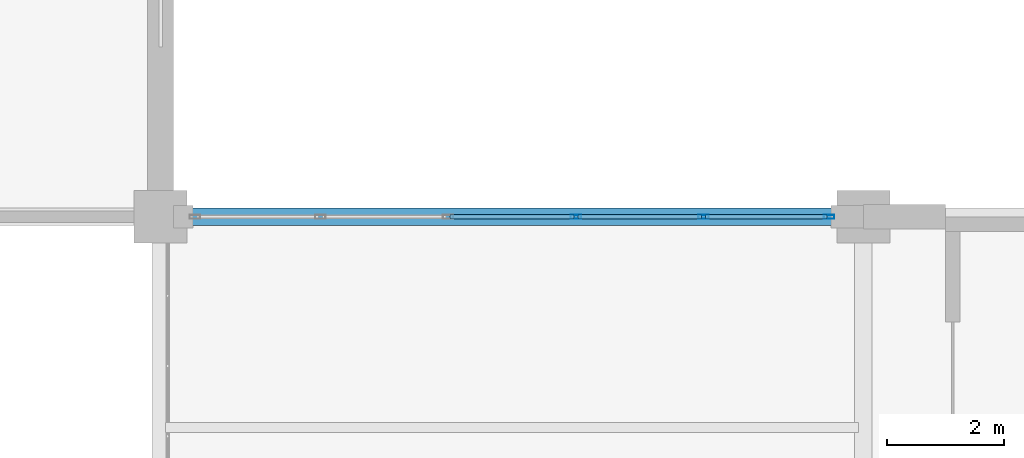
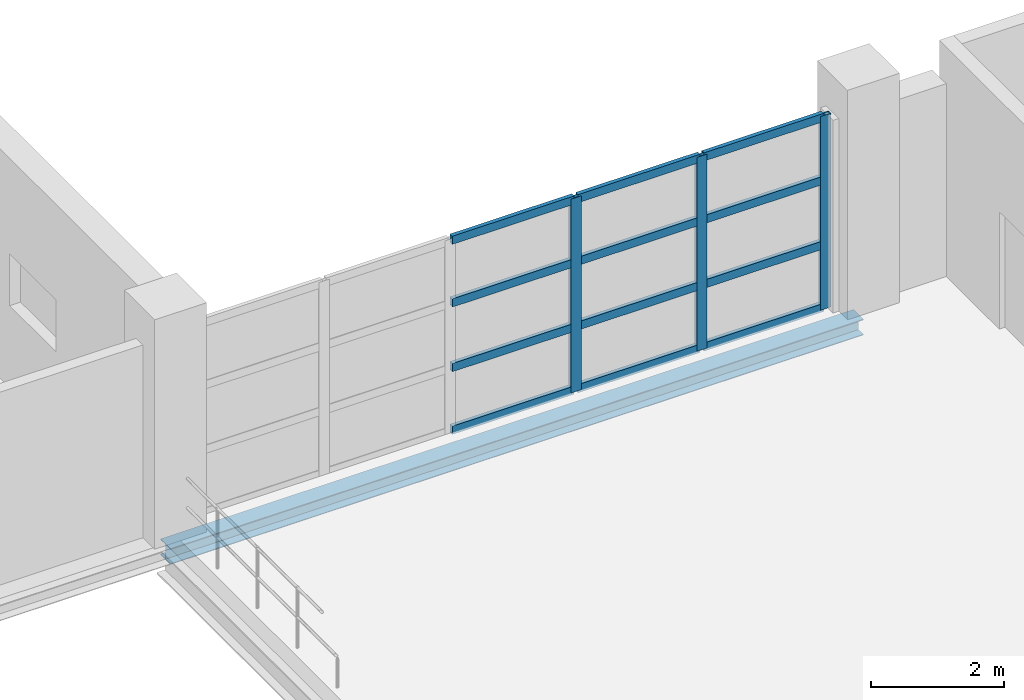
# One storey, part 120 of 158: 15 members, 1 beam, 1 element without a shape of its own.
"""IFC4 building model written with IfcOpenShell, lengths in metres."""

from ifc_helpers import new_model, si_unit, direction, frame, origin, origin_2d, place, context, subcontext, project, spatial, hollow_rectangle, i_section, extrude, material, layer, layer_set, material_profile, profile_set, type_object, element, aggregate, save


model = new_model("IFC4")

# Units and contexts
model_context = context("Model", 3, precision=1e-05, world=origin(), true_north=direction((0.0, 1.0)))
body_context = subcontext(model_context, "Body", "Model", "MODEL_VIEW")
ifc_project = project(units=[si_unit("LENGTHUNIT", "METRE"), si_unit("AREAUNIT", "SQUARE_METRE"), si_unit("VOLUMEUNIT", "CUBIC_METRE"), si_unit("PLANEANGLEUNIT", "RADIAN"), si_unit("MASSUNIT", "GRAM", prefix="KILO")], contexts=[model_context])

# Site, building, storey
site_placement = place(None, origin())
site = spatial("IfcSite", under=ifc_project, at=site_placement, CompositionType="ELEMENT")
building_placement = place(site_placement, origin())
building = spatial("IfcBuilding", under=site, at=building_placement, Name="Zilviju Railside Exhibition Hall", CompositionType="ELEMENT")
storey_placement = place(building_placement, frame((0.0, 0.0, 4.199951171875)))
storey = spatial("IfcBuildingStorey", under=building, at=storey_placement, Name="L02", CompositionType="ELEMENT", Elevation=4.199951171875)

# Beam
ifc_material_1 = material(Name="Steel S355J2", Category="steel")
ifc_material_profile_1 = material_profile(ifc_material_1, i_section(OverallWidth=0.300048828125, OverallDepth=0.2900390625, WebThickness=0.008544921875, FlangeThickness=0.013916015625, at=origin_2d()), Name="HEA 300")
ifc_profile_set_1 = profile_set([ifc_material_profile_1], Name="Steel S355J2")
beam_type = type_object("IfcBeamType", Name="BM-HEA300", PredefinedType="SPANDREL", material=ifc_profile_set_1)
beam_placement = place(storey_placement, frame((180.0, 138.0, -0.474853515625), z_axis=(1.0, 0.0, 0.0), x_axis=(0.0, 1.0, 0.0)))
element("IfcBeam", 1, at=beam_placement, inside=storey, type_object=beam_type, Name="Primary Girder L02 Y=138.0 (180.0..192.0)", PredefinedType="SPANDREL", context=body_context, shape_type="SweptSolid", body=[
    extrude(i_section(OverallWidth=0.300048828125, OverallDepth=0.2900390625, WebThickness=0.008544921875, FlangeThickness=0.013916015625, at=origin_2d()), origin(), (0.0, 0.0, 1.0), 12.0),
])

# Curtain wall, members
ifc_material_2 = material(Name="Thermally broken aluminium-steel triple-glazed curtain wall", Category="steel")
ifc_layer = layer(ifc_material_2, 0.179931640625)
ifc_layer_set = layer_set([ifc_layer], Name="Thermally broken aluminium-steel triple-glazed curtain wall")
curtain_wall_type = type_object("IfcCurtainWallType", Name="CW-BAY-13", PredefinedType="USERDEFINED", material=ifc_layer_set)
curtain_wall_placement = place(storey_placement, origin())
curtain_wall = element("IfcCurtainWall", 2, at=curtain_wall_placement, inside=storey, type_object=curtain_wall_type, Name="North Hall Clerestory Curtain Wall L02 (180..192)", ObjectType="GLAZED CURTAIN WALL", PredefinedType="USERDEFINED")
ifc_material_3 = material(Name="Thermally broken anodized aluminium mullion", Category="aluminium")
ifc_material_profile_2 = material_profile(ifc_material_3, hollow_rectangle(XDim=0.070068359375, YDim=0.179931640625, WallThickness=0.0048828125, at=origin_2d()), Name="MULLION 180x70x5")
ifc_profile_set_2 = profile_set([ifc_material_profile_2], Name="Thermally broken anodized aluminium mullion")
member_type_1 = type_object("IfcMemberType", Name="CWM-70x180", PredefinedType="MULLION", material=ifc_profile_set_2)
member_1_placement = place(storey_placement, frame((187.090087890625, 138.0, 0.0), z_axis=(0.0, 0.0, 1.0), x_axis=(0.0, 1.0, 0.0)))
member_1 = element("IfcMember", 3, at=member_1_placement, type_object=member_type_1, Name="CW-13 mullion 4", PredefinedType="MULLION", context=body_context, shape_type="SweptSolid", body=[
    extrude(hollow_rectangle(XDim=0.070068359375, YDim=0.179931640625, WallThickness=0.0048828125, at=origin_2d()), origin(), (0.0, 0.0, 1.0), 3.550048828125),
])
member_2_placement = place(storey_placement, frame((189.27001953125, 138.0, 0.0), z_axis=(0.0, 0.0, 1.0), x_axis=(0.0, 1.0, 0.0)))
member_2 = element("IfcMember", 4, at=member_2_placement, type_object=member_type_1, Name="CW-13 mullion 5", PredefinedType="MULLION", context=body_context, shape_type="SweptSolid", body=[
    extrude(hollow_rectangle(XDim=0.070068359375, YDim=0.179931640625, WallThickness=0.0048828125, at=origin_2d()), origin(), (0.0, 0.0, 1.0), 3.550048828125),
])
member_3_placement = place(storey_placement, frame((191.4150390625, 138.0, 0.0), z_axis=(0.0, 0.0, 1.0), x_axis=(0.0, 1.0, 0.0)))
member_3 = element("IfcMember", 5, at=member_3_placement, type_object=member_type_1, Name="CW-13 mullion 6", PredefinedType="MULLION", context=body_context, shape_type="SweptSolid", body=[
    extrude(hollow_rectangle(XDim=0.070068359375, YDim=0.179931640625, WallThickness=0.0048828125, at=origin_2d()), origin(), (0.0, 0.0, 1.0), 3.550048828125),
])
ifc_material_4 = material(Name="Thermally broken anodized aluminium transom", Category="aluminium")
ifc_material_profile_3 = material_profile(ifc_material_4, hollow_rectangle(XDim=0.070068359375, YDim=0.14990234375, WallThickness=0.0048828125, at=origin_2d()), Name="TRANSOM 150x70x5")
ifc_profile_set_3 = profile_set([ifc_material_profile_3], Name="Thermally broken anodized aluminium transom")
member_type_2 = type_object("IfcMemberType", Name="CWT-70x150", PredefinedType="USERDEFINED", material=ifc_profile_set_3)
member_4_placement = place(storey_placement, frame((184.945068359375, 138.0, 0.03515625), z_axis=(1.0, 0.0, 0.0), x_axis=(0.0, 1.0, 0.0)))
member_4 = element("IfcMember", 6, at=member_4_placement, type_object=member_type_2, Name="CW-13 transom 3.1", ObjectType="TRANSOM", PredefinedType="USERDEFINED", context=body_context, shape_type="SweptSolid", body=[
    extrude(hollow_rectangle(XDim=0.070068359375, YDim=0.14990234375, WallThickness=0.0048828125, at=origin_2d()), origin(), (0.0, 0.0, 1.0), 2.10986328125),
])
member_5_placement = place(storey_placement, frame((184.945068359375, 138.0, 1.18310546875), z_axis=(1.0, 0.0, 0.0), x_axis=(0.0, 1.0, 0.0)))
member_5 = element("IfcMember", 7, at=member_5_placement, type_object=member_type_2, Name="CW-13 transom 3.2", ObjectType="TRANSOM", PredefinedType="USERDEFINED", context=body_context, shape_type="SweptSolid", body=[
    extrude(hollow_rectangle(XDim=0.070068359375, YDim=0.14990234375, WallThickness=0.0048828125, at=origin_2d()), origin(), (0.0, 0.0, 1.0), 2.10986328125),
])
member_6_placement = place(storey_placement, frame((184.945068359375, 138.0, 2.366943359375), z_axis=(1.0, 0.0, 0.0), x_axis=(0.0, 1.0, 0.0)))
member_6 = element("IfcMember", 8, at=member_6_placement, type_object=member_type_2, Name="CW-13 transom 3.3", ObjectType="TRANSOM", PredefinedType="USERDEFINED", context=body_context, shape_type="SweptSolid", body=[
    extrude(hollow_rectangle(XDim=0.070068359375, YDim=0.14990234375, WallThickness=0.0048828125, at=origin_2d()), origin(), (0.0, 0.0, 1.0), 2.10986328125),
])
member_7_placement = place(storey_placement, frame((184.945068359375, 138.0, 3.51513671875), z_axis=(1.0, 0.0, 0.0), x_axis=(0.0, 1.0, 0.0)))
member_7 = element("IfcMember", 9, at=member_7_placement, type_object=member_type_2, Name="CW-13 transom 3.4", ObjectType="TRANSOM", PredefinedType="USERDEFINED", context=body_context, shape_type="SweptSolid", body=[
    extrude(hollow_rectangle(XDim=0.070068359375, YDim=0.14990234375, WallThickness=0.0048828125, at=origin_2d()), origin(), (0.0, 0.0, 1.0), 2.10986328125),
])
member_8_placement = place(storey_placement, frame((187.125, 138.0, 0.03515625), z_axis=(1.0, 0.0, 0.0), x_axis=(0.0, 1.0, 0.0)))
member_8 = element("IfcMember", 10, at=member_8_placement, type_object=member_type_2, Name="CW-13 transom 4.1", ObjectType="TRANSOM", PredefinedType="USERDEFINED", context=body_context, shape_type="SweptSolid", body=[
    extrude(hollow_rectangle(XDim=0.070068359375, YDim=0.14990234375, WallThickness=0.0048828125, at=origin_2d()), origin(), (0.0, 0.0, 1.0), 2.110107421875),
])
member_9_placement = place(storey_placement, frame((187.125, 138.0, 1.18310546875), z_axis=(1.0, 0.0, 0.0), x_axis=(0.0, 1.0, 0.0)))
member_9 = element("IfcMember", 11, at=member_9_placement, type_object=member_type_2, Name="CW-13 transom 4.2", ObjectType="TRANSOM", PredefinedType="USERDEFINED", context=body_context, shape_type="SweptSolid", body=[
    extrude(hollow_rectangle(XDim=0.070068359375, YDim=0.14990234375, WallThickness=0.0048828125, at=origin_2d()), origin(), (0.0, 0.0, 1.0), 2.110107421875),
])
member_10_placement = place(storey_placement, frame((187.125, 138.0, 2.366943359375), z_axis=(1.0, 0.0, 0.0), x_axis=(0.0, 1.0, 0.0)))
member_10 = element("IfcMember", 12, at=member_10_placement, type_object=member_type_2, Name="CW-13 transom 4.3", ObjectType="TRANSOM", PredefinedType="USERDEFINED", context=body_context, shape_type="SweptSolid", body=[
    extrude(hollow_rectangle(XDim=0.070068359375, YDim=0.14990234375, WallThickness=0.0048828125, at=origin_2d()), origin(), (0.0, 0.0, 1.0), 2.110107421875),
])
member_11_placement = place(storey_placement, frame((187.125, 138.0, 3.51513671875), z_axis=(1.0, 0.0, 0.0), x_axis=(0.0, 1.0, 0.0)))
member_11 = element("IfcMember", 13, at=member_11_placement, type_object=member_type_2, Name="CW-13 transom 4.4", ObjectType="TRANSOM", PredefinedType="USERDEFINED", context=body_context, shape_type="SweptSolid", body=[
    extrude(hollow_rectangle(XDim=0.070068359375, YDim=0.14990234375, WallThickness=0.0048828125, at=origin_2d()), origin(), (0.0, 0.0, 1.0), 2.110107421875),
])
member_12_placement = place(storey_placement, frame((189.304931640625, 138.0, 0.03515625), z_axis=(1.0, 0.0, 0.0), x_axis=(0.0, 1.0, 0.0)))
member_12 = element("IfcMember", 14, at=member_12_placement, type_object=member_type_2, Name="CW-13 transom 5.1", ObjectType="TRANSOM", PredefinedType="USERDEFINED", context=body_context, shape_type="SweptSolid", body=[
    extrude(hollow_rectangle(XDim=0.070068359375, YDim=0.14990234375, WallThickness=0.0048828125, at=origin_2d()), origin(), (0.0, 0.0, 1.0), 2.074951171875),
])
member_13_placement = place(storey_placement, frame((189.304931640625, 138.0, 1.18310546875), z_axis=(1.0, 0.0, 0.0), x_axis=(0.0, 1.0, 0.0)))
member_13 = element("IfcMember", 15, at=member_13_placement, type_object=member_type_2, Name="CW-13 transom 5.2", ObjectType="TRANSOM", PredefinedType="USERDEFINED", context=body_context, shape_type="SweptSolid", body=[
    extrude(hollow_rectangle(XDim=0.070068359375, YDim=0.14990234375, WallThickness=0.0048828125, at=origin_2d()), origin(), (0.0, 0.0, 1.0), 2.074951171875),
])
member_14_placement = place(storey_placement, frame((189.304931640625, 138.0, 2.366943359375), z_axis=(1.0, 0.0, 0.0), x_axis=(0.0, 1.0, 0.0)))
member_14 = element("IfcMember", 16, at=member_14_placement, type_object=member_type_2, Name="CW-13 transom 5.3", ObjectType="TRANSOM", PredefinedType="USERDEFINED", context=body_context, shape_type="SweptSolid", body=[
    extrude(hollow_rectangle(XDim=0.070068359375, YDim=0.14990234375, WallThickness=0.0048828125, at=origin_2d()), origin(), (0.0, 0.0, 1.0), 2.074951171875),
])
member_15_placement = place(storey_placement, frame((189.304931640625, 138.0, 3.51513671875), z_axis=(1.0, 0.0, 0.0), x_axis=(0.0, 1.0, 0.0)))
member_15 = element("IfcMember", 17, at=member_15_placement, type_object=member_type_2, Name="CW-13 transom 5.4", ObjectType="TRANSOM", PredefinedType="USERDEFINED", context=body_context, shape_type="SweptSolid", body=[
    extrude(hollow_rectangle(XDim=0.070068359375, YDim=0.14990234375, WallThickness=0.0048828125, at=origin_2d()), origin(), (0.0, 0.0, 1.0), 2.074951171875),
])
aggregate(curtain_wall, [member_1, member_2, member_3, member_4, member_5, member_6, member_7, member_8, member_9, member_10, member_11, member_12, member_13, member_14, member_15])

save(model, "model.ifc")
